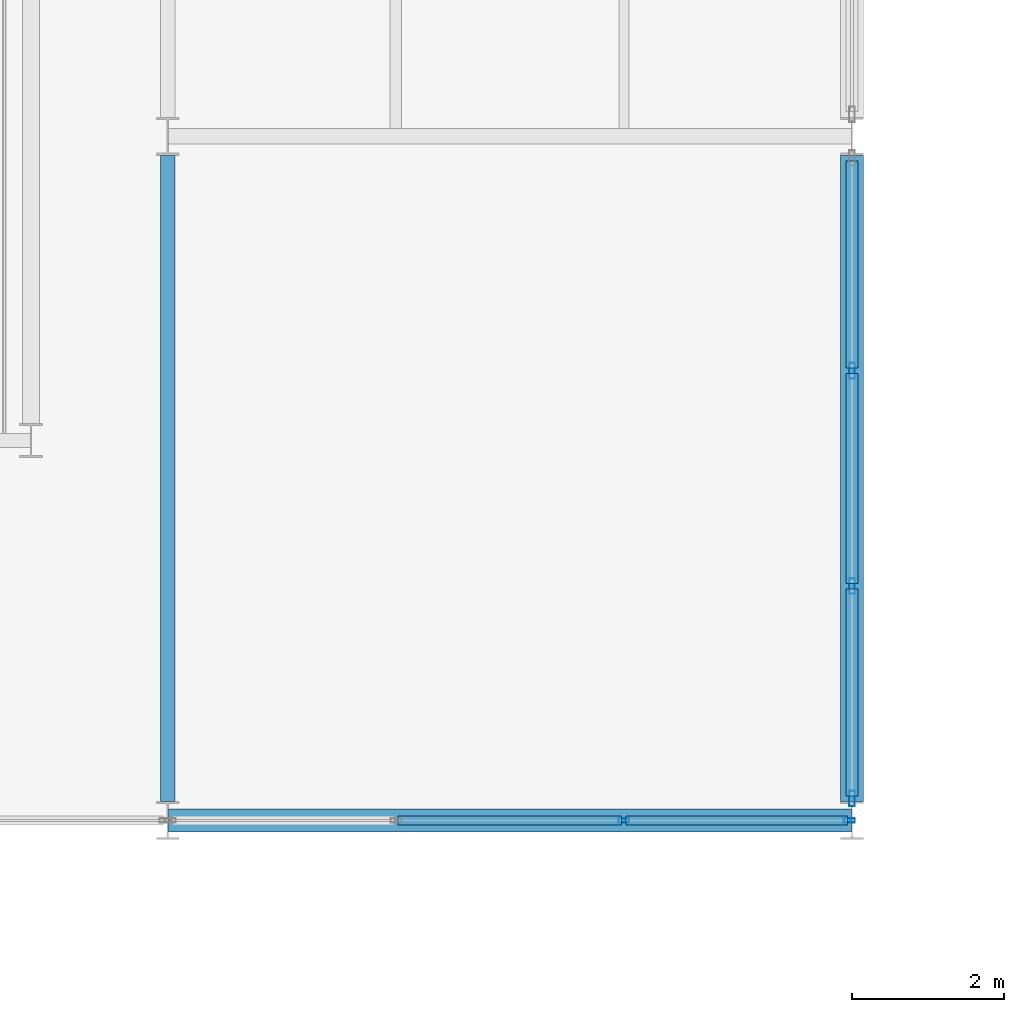
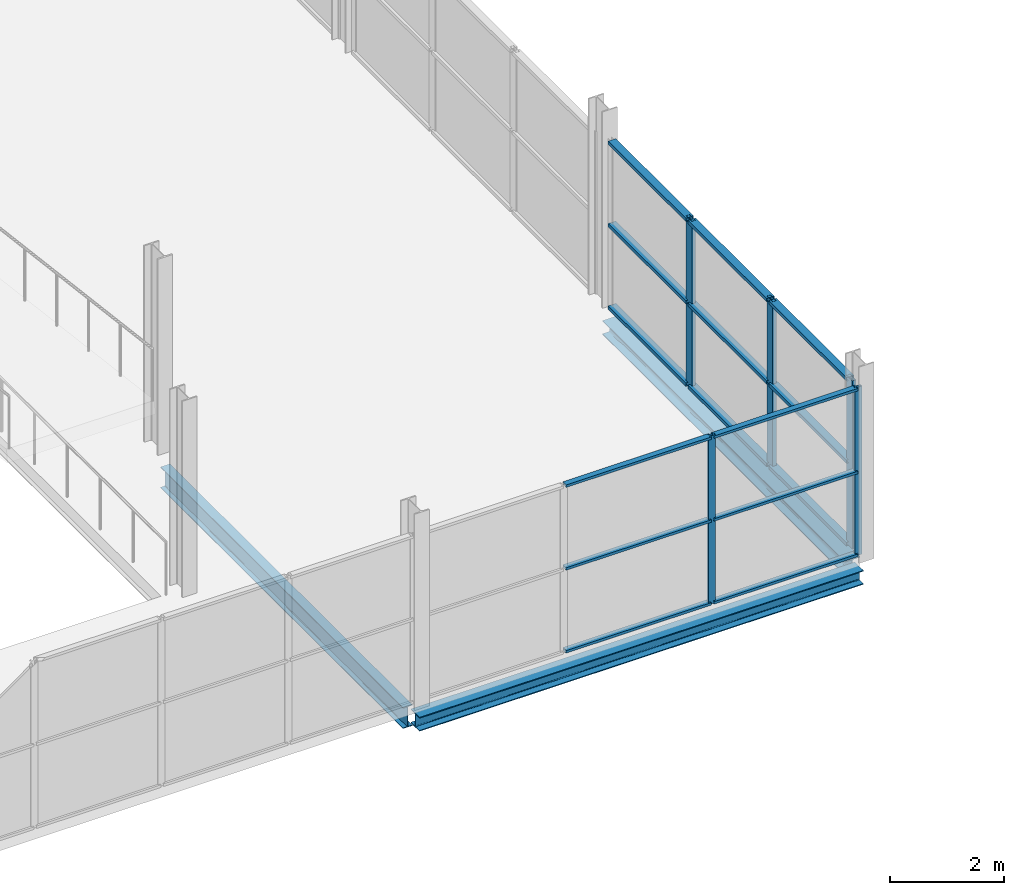
# One storey, part 64 of 140: 20 members, 3 beams, 2 elements without a shape of their own.
"""IFC4 building model written with IfcOpenShell, lengths in metres."""

import ifcopenshell
import ifcopenshell.guid

model = None  # the IFC model being written
_history = None  # IfcOwnerHistory: only IFC2X3 demands one
_inside = {}  # id of a spatial element -> (the spatial element, [elements in it])
_under = {}  # id of a project, library or spatial element -> (it, [spatial elements below it])
_declared = {}  # id of a project -> (the project, [libraries it declares])
_typed = {}  # id of a type object -> (the type object, [elements of that type])
_made_of = {}  # id of a material, layer set ... -> (it, [elements and type objects made of it])


def new_model(schema):
    """Start an empty IFC model of exactly this schema.

    Asked for "IFC4X3", IfcOpenShell would pick the latest addendum, in which some entities
    have other attributes; the version numbers below select the first issue.
    IFC2X3 requires an IfcOwnerHistory on every rooted entity: one is made here for all.
    """
    global model, _history
    if schema == "IFC4X3":
        model = ifcopenshell.file(schema_version=(4, 3, 0, 0))
    else:
        model = ifcopenshell.file(schema=schema)
    _inside.clear()
    _under.clear()
    _declared.clear()
    _typed.clear()
    _made_of.clear()
    _history = None
    if model.schema == "IFC2X3":
        org = make("IfcOrganization", Name="unknown")
        user = make(
            "IfcPersonAndOrganization",
            ThePerson=make("IfcPerson", FamilyName="unknown"),
            TheOrganization=org,
        )
        app = make(
            "IfcApplication",
            ApplicationDeveloper=org,
            Version="unknown",
            ApplicationFullName="unknown",
            ApplicationIdentifier="unknown",
        )
        _history = make(
            "IfcOwnerHistory",
            OwningUser=user,
            OwningApplication=app,
            ChangeAction="ADDED",
            CreationDate=0,
        )
    return model


def make(cls, **values):
    """One entity of the class cls with the attributes given. An attribute that is None is left unset."""
    return model.create_entity(
        cls, **{name: value for name, value in values.items() if value is not None}
    )


def rooted(cls, **values):
    """An entity with a GlobalId (a new one), such as an element, a storey or a relation."""
    return make(cls, GlobalId=ifcopenshell.guid.new(), OwnerHistory=_history, **values)


def si_unit(unit_type, name, prefix=None):
    """IfcSIUnit, for example si_unit("LENGTHUNIT", "METRE", prefix="MILLI")."""
    return make("IfcSIUnit", UnitType=unit_type, Prefix=prefix, Name=name)


def assignment(units):
    """IfcUnitAssignment: the units of a project."""
    return None if units is None else make("IfcUnitAssignment", Units=units)


def point(xyz):
    """IfcCartesianPoint."""
    return None if xyz is None else make("IfcCartesianPoint", Coordinates=xyz)


def direction(xyz):
    """IfcDirection."""
    return None if xyz is None else make("IfcDirection", DirectionRatios=xyz)


def frame(location, z_axis=None, x_axis=None):
    """IfcAxis2Placement3D, a coordinate frame: its origin and axes. An axis left out is left unset."""
    return make(
        "IfcAxis2Placement3D",
        Location=point(location),
        Axis=direction(z_axis),
        RefDirection=direction(x_axis),
    )


def frame_2d(location, x_axis=None):
    """IfcAxis2Placement2D, a coordinate frame in the plane: its origin and x axis."""
    return make(
        "IfcAxis2Placement2D", Location=point(location), RefDirection=direction(x_axis)
    )


def origin():
    """The frame at (0, 0, 0) with its axes left unset."""
    return frame((0.0, 0.0, 0.0))


def origin_2d():
    """The frame at (0, 0) in the plane with its x axis left unset."""
    return frame_2d((0.0, 0.0))


def place(relative_to, where):
    """IfcLocalPlacement: puts the frame where relative to a parent placement (None: the world)."""
    return make(
        "IfcLocalPlacement", PlacementRelTo=relative_to, RelativePlacement=where
    )


def context(
    kind, dimensions, precision=None, world=None, true_north=None, identifier=None
):
    """IfcGeometricRepresentationContext, for example the 3D "Model" context."""
    return make(
        "IfcGeometricRepresentationContext",
        ContextIdentifier=identifier,
        ContextType=kind,
        CoordinateSpaceDimension=dimensions,
        Precision=precision,
        WorldCoordinateSystem=world,
        TrueNorth=true_north,
    )


def subcontext(parent, identifier, kind, view, scale=None):
    """IfcGeometricRepresentationSubContext, for example "Body" below "Model"."""
    return make(
        "IfcGeometricRepresentationSubContext",
        ContextIdentifier=identifier,
        ContextType=kind,
        ParentContext=parent,
        TargetScale=scale,
        TargetView=view,
    )


def project(units=None, contexts=None):
    """IfcProject with its units and contexts."""
    return rooted(
        "IfcProject",
        Name="project",
        RepresentationContexts=contexts,
        UnitsInContext=assignment(units),
    )


def spatial(cls, under=None, at=None, **own):
    """A site, building, storey or space (cls), placed at a placement, below another one or the project."""
    s = rooted(cls, ObjectPlacement=at, **own)
    if under is not None:
        _under.setdefault(under.id(), (under, []))[1].append(s)
    return s


def profile(cls, at=None, kind="AREA", **sizes):
    """A parametric profile (cls). Its sizes go by their IFC names, for example OverallWidth=200.0."""
    return make(cls, ProfileType=kind, Position=at, **sizes)


def hollow_rectangle(**sizes):
    """IfcRectangleHollowProfileDef."""
    return profile("IfcRectangleHollowProfileDef", **sizes)


def i_section(**sizes):
    """IfcIShapeProfileDef."""
    return profile("IfcIShapeProfileDef", **sizes)


def extrude(swept, where, along, depth):
    """IfcExtrudedAreaSolid: the profile swept, set in the frame where, extruded along a direction by depth."""
    return make(
        "IfcExtrudedAreaSolid",
        SweptArea=swept,
        Position=where,
        ExtrudedDirection=direction(along),
        Depth=depth,
    )


def shape(context_of_items, identifier, shape_type, items):
    """IfcShapeRepresentation: the items that make up one representation, for example the "Body"."""
    return make(
        "IfcShapeRepresentation",
        ContextOfItems=context_of_items,
        RepresentationIdentifier=identifier,
        RepresentationType=shape_type,
        Items=items,
    )


def material(Name=None, Category=None):
    """IfcMaterial."""
    return make("IfcMaterial", Name=Name, Category=Category)


def layer(
    of_material, thickness, ventilated=None, Name=None, Category=None, Priority=None
):
    """IfcMaterialLayer: one layer of a wall or slab, of a material (None: an air gap)."""
    return make(
        "IfcMaterialLayer",
        Material=of_material,
        LayerThickness=thickness,
        IsVentilated=ventilated,
        Name=Name,
        Category=Category,
        Priority=Priority,
    )


def layer_set(layers, Name=None):
    """IfcMaterialLayerSet."""
    return make("IfcMaterialLayerSet", MaterialLayers=layers, LayerSetName=Name)


def material_profile(
    of_material, cross_section, Name=None, Category=None, Priority=None
):
    """IfcMaterialProfile: a cross section and its material."""
    return make(
        "IfcMaterialProfile",
        Name=Name,
        Material=of_material,
        Profile=cross_section,
        Priority=Priority,
        Category=Category,
    )


def profile_set(profiles, Name=None, composite=None):
    """IfcMaterialProfileSet."""
    return make(
        "IfcMaterialProfileSet",
        Name=Name,
        MaterialProfiles=profiles,
        CompositeProfile=composite,
    )


def made_of(thing, what):
    """Note that an element or type object is made of a material, layer set ...; save() writes the relation."""
    if what is not None:
        _made_of.setdefault(what.id(), (what, []))[1].append(thing)
    return thing


def type_object(cls, material=None, **own):
    """A type object (cls), such as IfcWallType, which elements share."""
    return made_of(rooted(cls, **own), material)


def element(
    cls,
    number,
    at=None,
    inside=None,
    cuts=None,
    type_object=None,
    material=None,
    context=None,
    identifier="Body",
    shape_type=None,
    held_by="IfcProductDefinitionShape",
    body=None,
    shapes=None,
    **own,
):
    """One element of the class cls, such as IfcWall. Its Tag is "e" and its number.

    at: its placement. inside: the storey or other place that contains it. cuts: it is an
    opening in that element (IfcRelVoidsElement). A single representation is given by context,
    identifier, shape_type and body (its items); several are given by shapes. held_by: the class
    of the entity that holds the representations. save() writes the other relations.
    """
    e = rooted(cls, Tag="e%d" % number, ObjectPlacement=at, **own)
    if body is not None:
        shapes = [shape(context, identifier, shape_type, body)]
    if shapes is not None:
        e.Representation = make(held_by, Representations=shapes)
    if inside is not None:
        _inside.setdefault(inside.id(), (inside, []))[1].append(e)
    if cuts is not None:
        rooted(
            "IfcRelVoidsElement", RelatingBuildingElement=cuts, RelatedOpeningElement=e
        )
    if type_object is not None:
        _typed.setdefault(type_object.id(), (type_object, []))[1].append(e)
    return made_of(e, material)


def aggregate(whole, parts):
    """IfcRelAggregates: a whole, such as a stair, and the parts it consists of."""
    return rooted("IfcRelAggregates", RelatingObject=whole, RelatedObjects=parts)


def save(model, path):
    """Write the relations noted so far, then the file.

    IfcRelAggregates (storeys below a building ...), IfcRelContainedInSpatialStructure (elements
    in a storey), IfcRelDefinesByType, IfcRelAssociatesMaterial and IfcRelDeclares: one each for
    every whole, place, type object, material and project.
    """
    for whole, parts in _under.values():
        aggregate(whole, parts)
    for where, things in _inside.values():
        rooted(
            "IfcRelContainedInSpatialStructure",
            RelatedElements=things,
            RelatingStructure=where,
        )
    for kind, things in _typed.values():
        rooted("IfcRelDefinesByType", RelatedObjects=things, RelatingType=kind)
    for what, things in _made_of.values():
        rooted("IfcRelAssociatesMaterial", RelatedObjects=things, RelatingMaterial=what)
    for by, libraries in _declared.values():
        rooted("IfcRelDeclares", RelatingContext=by, RelatedDefinitions=libraries)
    model.write(path)


model = new_model("IFC4")

# Units and contexts
model_context = context("Model", 3, precision=1e-05, world=origin(), true_north=direction((0.0, 1.0)))
body_context = subcontext(model_context, "Body", "Model", "MODEL_VIEW")
ifc_project = project(units=[si_unit("LENGTHUNIT", "METRE"), si_unit("AREAUNIT", "SQUARE_METRE"), si_unit("VOLUMEUNIT", "CUBIC_METRE"), si_unit("PLANEANGLEUNIT", "RADIAN"), si_unit("MASSUNIT", "GRAM", prefix="KILO")], contexts=[model_context])

# Site, building, storey
site_placement = place(None, origin())
site = spatial("IfcSite", under=ifc_project, at=site_placement, CompositionType="ELEMENT")
building_placement = place(site_placement, origin())
building = spatial("IfcBuilding", under=site, at=building_placement, Name="Deido Ridge Mobility Hub", CompositionType="ELEMENT")
storey_placement = place(building_placement, origin())
storey = spatial("IfcBuildingStorey", under=building, at=storey_placement, Name="L00", CompositionType="ELEMENT", Elevation=0.0)

# Beam
ifc_material_1 = material(Name="Steel S355J2 EN 10025-2", Category="steel")
ifc_material_profile_1 = material_profile(ifc_material_1, i_section(OverallWidth=0.18994140625, OverallDepth=0.449951171875, WebThickness=0.009521484375, FlangeThickness=0.0146484375, FilletRadius=0.02099609375, at=origin_2d()), Name="IPE 450")
ifc_profile_set_1 = profile_set([ifc_material_profile_1], Name="Steel S355J2 EN 10025-2")
beam_type_1 = type_object("IfcBeamType", Name="BM-IPE450", PredefinedType="BEAM", material=ifc_profile_set_1)
beam_1_placement = place(storey_placement, frame((99.0, 45.25, -0.485107421875), z_axis=(0.0, 1.0, 0.0), x_axis=(-1.0, 0.0, 0.0)))
element("IfcBeam", 1, at=beam_1_placement, inside=storey, type_object=beam_type_1, Name="Floor beam B4", PredefinedType="BEAM", context=body_context, shape_type="SweptSolid", body=[
    extrude(i_section(OverallWidth=0.18994140625, OverallDepth=0.449951171875, WebThickness=0.009521484375, FlangeThickness=0.0146484375, FilletRadius=0.02099609375, at=origin_2d()), origin(), (0.0, 0.0, 1.0), 8.5),
])

# Curtain wall, members
ifc_material_2 = material(Name="Anodised aluminium EN AW-6063 T6", Category="aluminium")
ifc_layer_1 = layer(ifc_material_2, 0.14404296875, Name="Anodised aluminium EN AW-6063 T6")
ifc_layer_set_1 = layer_set([ifc_layer_1], Name="Anodised aluminium EN AW-6063 T6")
curtain_wall_type_1 = type_object("IfcCurtainWallType", Name="CW-GS-2", PredefinedType="USERDEFINED", material=ifc_layer_set_1)
curtain_wall_1_placement = place(storey_placement, origin())
curtain_wall_1 = element("IfcCurtainWall", 2, at=curtain_wall_1_placement, inside=storey, type_object=curtain_wall_type_1, Name="Unitised curtain wall GS2", ObjectType="GLAZED SCREEN", PredefinedType="USERDEFINED")
ifc_material_profile_2 = material_profile(ifc_material_2, hollow_rectangle(XDim=0.054931640625, YDim=0.14501953125, WallThickness=0.00390625, at=origin_2d()), Name="RHS 55x145x4")
ifc_profile_set_2 = profile_set([ifc_material_profile_2], Name="Anodised aluminium EN AW-6063 T6")
member_type_1 = type_object("IfcMemberType", Name="MEM-MUL-55X145", PredefinedType="MULLION", material=ifc_profile_set_2)
member_1_placement = place(storey_placement, frame((104.99755859375, 45.0, 0.0), z_axis=(0.0, 0.0, 1.0), x_axis=(0.0, 1.0, 0.0)))
member_1 = element("IfcMember", 3, at=member_1_placement, type_object=member_type_1, Name="GS2 mullion 3", PredefinedType="MULLION", context=body_context, shape_type="SweptSolid", body=[
    extrude(hollow_rectangle(XDim=0.054931640625, YDim=0.14501953125, WallThickness=0.00390625, at=origin_2d()), origin(), (0.0, 0.0, 1.0), 3.60009765625),
])
member_2_placement = place(storey_placement, frame((107.96533203125, 45.0, 0.0), z_axis=(0.0, 0.0, 1.0), x_axis=(0.0, 1.0, 0.0)))
member_2 = element("IfcMember", 4, at=member_2_placement, type_object=member_type_1, Name="GS2 mullion 4", PredefinedType="MULLION", context=body_context, shape_type="SweptSolid", body=[
    extrude(hollow_rectangle(XDim=0.054931640625, YDim=0.14501953125, WallThickness=0.00390625, at=origin_2d()), origin(), (0.0, 0.0, 1.0), 3.60009765625),
])

ifc_layer_2 = layer(ifc_material_2, 0.2099609375, Name="Anodised aluminium EN AW-6063 T6")
ifc_layer_set_2 = layer_set([ifc_layer_2], Name="Anodised aluminium EN AW-6063 T6")
curtain_wall_type_2 = type_object("IfcCurtainWallType", Name="CW-UF-4", PredefinedType="USERDEFINED", material=ifc_layer_set_2)
curtain_wall_2_placement = place(storey_placement, origin())
curtain_wall_2 = element("IfcCurtainWall", 5, at=curtain_wall_2_placement, inside=storey, type_object=curtain_wall_type_2, Name="Unitised curtain wall CW4", ObjectType="UNITISED FACADE", PredefinedType="USERDEFINED")
ifc_material_profile_3 = material_profile(ifc_material_2, hollow_rectangle(XDim=0.074951171875, YDim=0.205078125, WallThickness=0.00390625, at=origin_2d()), Name="RHS 75x205x4")
ifc_profile_set_3 = profile_set([ifc_material_profile_3], Name="Anodised aluminium EN AW-6063 T6")
member_type_2 = type_object("IfcMemberType", Name="MEM-MUL-75X205", PredefinedType="MULLION", material=ifc_profile_set_3)
member_3_placement = place(storey_placement, frame((108.0, 45.28759765625, 0.0), z_axis=(0.0, 0.0, 1.0), x_axis=(-1.0, 0.0, 0.0)))
member_3 = element("IfcMember", 6, at=member_3_placement, type_object=member_type_2, Name="CW4 mullion 1", PredefinedType="MULLION", context=body_context, shape_type="SweptSolid", body=[
    extrude(hollow_rectangle(XDim=0.074951171875, YDim=0.205078125, WallThickness=0.00390625, at=origin_2d()), origin(), (0.0, 0.0, 1.0), 3.60009765625),
])
member_4_placement = place(storey_placement, frame((108.0, 48.083251953125, 0.0), z_axis=(0.0, 0.0, 1.0), x_axis=(-1.0, 0.0, 0.0)))
member_4 = element("IfcMember", 7, at=member_4_placement, type_object=member_type_2, Name="CW4 mullion 2", PredefinedType="MULLION", context=body_context, shape_type="SweptSolid", body=[
    extrude(hollow_rectangle(XDim=0.074951171875, YDim=0.205078125, WallThickness=0.00390625, at=origin_2d()), origin(), (0.0, 0.0, 1.0), 3.60009765625),
])
member_5_placement = place(storey_placement, frame((108.0, 50.916748046875, 0.0), z_axis=(0.0, 0.0, 1.0), x_axis=(-1.0, 0.0, 0.0)))
member_5 = element("IfcMember", 8, at=member_5_placement, type_object=member_type_2, Name="CW4 mullion 3", PredefinedType="MULLION", context=body_context, shape_type="SweptSolid", body=[
    extrude(hollow_rectangle(XDim=0.074951171875, YDim=0.205078125, WallThickness=0.00390625, at=origin_2d()), origin(), (0.0, 0.0, 1.0), 3.60009765625),
])

# Member
ifc_material_profile_4 = material_profile(ifc_material_2, hollow_rectangle(XDim=0.114990234375, YDim=0.054931640625, WallThickness=0.00390625, at=origin_2d()), Name="RHS 115x55x4")
ifc_profile_set_4 = profile_set([ifc_material_profile_4], Name="Anodised aluminium EN AW-6063 T6")
member_type_3 = type_object("IfcMemberType", Name="MEM-TRN-115X55", PredefinedType="USERDEFINED", material=ifc_profile_set_4)
member_6_placement = place(storey_placement, frame((102.02978515625, 45.0, 0.027587890625), z_axis=(1.0, 0.0, 0.0), x_axis=(0.0, 1.0, 0.0)))
member_6 = element("IfcMember", 9, at=member_6_placement, type_object=member_type_3, Name="GS2 transom 2.1", ObjectType="TRANSOM", PredefinedType="USERDEFINED", context=body_context, shape_type="SweptSolid", body=[
    extrude(hollow_rectangle(XDim=0.114990234375, YDim=0.054931640625, WallThickness=0.00390625, at=origin_2d()), origin(), (0.0, 0.0, 1.0), 2.9404296875),
])

member_7_placement = place(storey_placement, frame((102.02978515625, 45.0, 1.800048828125), z_axis=(1.0, 0.0, 0.0), x_axis=(0.0, 1.0, 0.0)))
member_7 = element("IfcMember", 10, at=member_7_placement, type_object=member_type_3, Name="GS2 transom 2.2", ObjectType="TRANSOM", PredefinedType="USERDEFINED", context=body_context, shape_type="SweptSolid", body=[
    extrude(hollow_rectangle(XDim=0.114990234375, YDim=0.054931640625, WallThickness=0.00390625, at=origin_2d()), origin(), (0.0, 0.0, 1.0), 2.9404296875),
])

member_8_placement = place(storey_placement, frame((102.02978515625, 45.0, 3.572509765625), z_axis=(1.0, 0.0, 0.0), x_axis=(0.0, 1.0, 0.0)))
member_8 = element("IfcMember", 11, at=member_8_placement, type_object=member_type_3, Name="GS2 transom 2.3", ObjectType="TRANSOM", PredefinedType="USERDEFINED", context=body_context, shape_type="SweptSolid", body=[
    extrude(hollow_rectangle(XDim=0.114990234375, YDim=0.054931640625, WallThickness=0.00390625, at=origin_2d()), origin(), (0.0, 0.0, 1.0), 2.9404296875),
])

member_9_placement = place(storey_placement, frame((105.025146484375, 45.0, 0.027587890625), z_axis=(1.0, 0.0, 0.0), x_axis=(0.0, 1.0, 0.0)))
member_9 = element("IfcMember", 12, at=member_9_placement, type_object=member_type_3, Name="GS2 transom 3.1", ObjectType="TRANSOM", PredefinedType="USERDEFINED", context=body_context, shape_type="SweptSolid", body=[
    extrude(hollow_rectangle(XDim=0.114990234375, YDim=0.054931640625, WallThickness=0.00390625, at=origin_2d()), origin(), (0.0, 0.0, 1.0), 2.91259765625),
])

member_10_placement = place(storey_placement, frame((105.025146484375, 45.0, 1.800048828125), z_axis=(1.0, 0.0, 0.0), x_axis=(0.0, 1.0, 0.0)))
member_10 = element("IfcMember", 13, at=member_10_placement, type_object=member_type_3, Name="GS2 transom 3.2", ObjectType="TRANSOM", PredefinedType="USERDEFINED", context=body_context, shape_type="SweptSolid", body=[
    extrude(hollow_rectangle(XDim=0.114990234375, YDim=0.054931640625, WallThickness=0.00390625, at=origin_2d()), origin(), (0.0, 0.0, 1.0), 2.91259765625),
])

member_11_placement = place(storey_placement, frame((105.025146484375, 45.0, 3.572509765625), z_axis=(1.0, 0.0, 0.0), x_axis=(0.0, 1.0, 0.0)))
member_11 = element("IfcMember", 14, at=member_11_placement, type_object=member_type_3, Name="GS2 transom 3.3", ObjectType="TRANSOM", PredefinedType="USERDEFINED", context=body_context, shape_type="SweptSolid", body=[
    extrude(hollow_rectangle(XDim=0.114990234375, YDim=0.054931640625, WallThickness=0.00390625, at=origin_2d()), origin(), (0.0, 0.0, 1.0), 2.91259765625),
])

aggregate(curtain_wall_1, [member_1, member_2, member_6, member_7, member_8, member_9, member_10, member_11])

ifc_material_profile_5 = material_profile(ifc_material_2, hollow_rectangle(XDim=0.155029296875, YDim=0.074951171875, WallThickness=0.00390625, at=origin_2d()), Name="RHS 155x75x4")
ifc_profile_set_5 = profile_set([ifc_material_profile_5], Name="Anodised aluminium EN AW-6063 T6")
member_type_4 = type_object("IfcMemberType", Name="MEM-TRN-155X75", PredefinedType="USERDEFINED", material=ifc_profile_set_5)
member_12_placement = place(storey_placement, frame((108.0, 45.324951171875, 0.03759765625), z_axis=(0.0, 1.0, 0.0), x_axis=(-1.0, 0.0, 0.0)))
member_12 = element("IfcMember", 15, at=member_12_placement, type_object=member_type_4, Name="CW4 transom 1.1", ObjectType="TRANSOM", PredefinedType="USERDEFINED", context=body_context, shape_type="SweptSolid", body=[
    extrude(hollow_rectangle(XDim=0.155029296875, YDim=0.074951171875, WallThickness=0.00390625, at=origin_2d()), origin(), (0.0, 0.0, 1.0), 2.720947265625),
])

member_13_placement = place(storey_placement, frame((108.0, 45.324951171875, 1.800048828125), z_axis=(0.0, 1.0, 0.0), x_axis=(-1.0, 0.0, 0.0)))
member_13 = element("IfcMember", 16, at=member_13_placement, type_object=member_type_4, Name="CW4 transom 1.2", ObjectType="TRANSOM", PredefinedType="USERDEFINED", context=body_context, shape_type="SweptSolid", body=[
    extrude(hollow_rectangle(XDim=0.155029296875, YDim=0.074951171875, WallThickness=0.00390625, at=origin_2d()), origin(), (0.0, 0.0, 1.0), 2.720947265625),
])

member_14_placement = place(storey_placement, frame((108.0, 45.324951171875, 3.5625), z_axis=(0.0, 1.0, 0.0), x_axis=(-1.0, 0.0, 0.0)))
member_14 = element("IfcMember", 17, at=member_14_placement, type_object=member_type_4, Name="CW4 transom 1.3", ObjectType="TRANSOM", PredefinedType="USERDEFINED", context=body_context, shape_type="SweptSolid", body=[
    extrude(hollow_rectangle(XDim=0.155029296875, YDim=0.074951171875, WallThickness=0.00390625, at=origin_2d()), origin(), (0.0, 0.0, 1.0), 2.720947265625),
])

member_15_placement = place(storey_placement, frame((108.0, 48.120849609375, 0.03759765625), z_axis=(0.0, 1.0, 0.0), x_axis=(-1.0, 0.0, 0.0)))
member_15 = element("IfcMember", 18, at=member_15_placement, type_object=member_type_4, Name="CW4 transom 2.1", ObjectType="TRANSOM", PredefinedType="USERDEFINED", context=body_context, shape_type="SweptSolid", body=[
    extrude(hollow_rectangle(XDim=0.155029296875, YDim=0.074951171875, WallThickness=0.00390625, at=origin_2d()), origin(), (0.0, 0.0, 1.0), 2.75830078125),
])

member_16_placement = place(storey_placement, frame((108.0, 48.120849609375, 1.800048828125), z_axis=(0.0, 1.0, 0.0), x_axis=(-1.0, 0.0, 0.0)))
member_16 = element("IfcMember", 19, at=member_16_placement, type_object=member_type_4, Name="CW4 transom 2.2", ObjectType="TRANSOM", PredefinedType="USERDEFINED", context=body_context, shape_type="SweptSolid", body=[
    extrude(hollow_rectangle(XDim=0.155029296875, YDim=0.074951171875, WallThickness=0.00390625, at=origin_2d()), origin(), (0.0, 0.0, 1.0), 2.75830078125),
])

member_17_placement = place(storey_placement, frame((108.0, 48.120849609375, 3.5625), z_axis=(0.0, 1.0, 0.0), x_axis=(-1.0, 0.0, 0.0)))
member_17 = element("IfcMember", 20, at=member_17_placement, type_object=member_type_4, Name="CW4 transom 2.3", ObjectType="TRANSOM", PredefinedType="USERDEFINED", context=body_context, shape_type="SweptSolid", body=[
    extrude(hollow_rectangle(XDim=0.155029296875, YDim=0.074951171875, WallThickness=0.00390625, at=origin_2d()), origin(), (0.0, 0.0, 1.0), 2.75830078125),
])

member_18_placement = place(storey_placement, frame((108.0, 50.9541015625, 0.03759765625), z_axis=(0.0, 1.0, 0.0), x_axis=(-1.0, 0.0, 0.0)))
member_18 = element("IfcMember", 21, at=member_18_placement, type_object=member_type_4, Name="CW4 transom 3.1", ObjectType="TRANSOM", PredefinedType="USERDEFINED", context=body_context, shape_type="SweptSolid", body=[
    extrude(hollow_rectangle(XDim=0.155029296875, YDim=0.074951171875, WallThickness=0.00390625, at=origin_2d()), origin(), (0.0, 0.0, 1.0), 2.720947265625),
])

member_19_placement = place(storey_placement, frame((108.0, 50.9541015625, 1.800048828125), z_axis=(0.0, 1.0, 0.0), x_axis=(-1.0, 0.0, 0.0)))
member_19 = element("IfcMember", 22, at=member_19_placement, type_object=member_type_4, Name="CW4 transom 3.2", ObjectType="TRANSOM", PredefinedType="USERDEFINED", context=body_context, shape_type="SweptSolid", body=[
    extrude(hollow_rectangle(XDim=0.155029296875, YDim=0.074951171875, WallThickness=0.00390625, at=origin_2d()), origin(), (0.0, 0.0, 1.0), 2.720947265625),
])

member_20_placement = place(storey_placement, frame((108.0, 50.9541015625, 3.5625), z_axis=(0.0, 1.0, 0.0), x_axis=(-1.0, 0.0, 0.0)))
member_20 = element("IfcMember", 23, at=member_20_placement, type_object=member_type_4, Name="CW4 transom 3.3", ObjectType="TRANSOM", PredefinedType="USERDEFINED", context=body_context, shape_type="SweptSolid", body=[
    extrude(hollow_rectangle(XDim=0.155029296875, YDim=0.074951171875, WallThickness=0.00390625, at=origin_2d()), origin(), (0.0, 0.0, 1.0), 2.720947265625),
])

aggregate(curtain_wall_2, [member_3, member_4, member_5, member_12, member_13, member_14, member_15, member_16, member_17, member_18, member_19, member_20])

# Beams
ifc_material_profile_6 = material_profile(ifc_material_1, i_section(OverallWidth=0.300048828125, OverallDepth=0.300048828125, WebThickness=0.010986328125, FlangeThickness=0.01904296875, FilletRadius=0.027099609375, at=origin_2d()), Name="HEB 300")
ifc_profile_set_6 = profile_set([ifc_material_profile_6], Name="Steel S355J2 EN 10025-2")
beam_type_2 = type_object("IfcBeamType", Name="SPD-HEB300", PredefinedType="SPANDREL", material=ifc_profile_set_6)
beam_2_placement = place(storey_placement, frame((99.007080078125, 45.0, -0.409912109375), z_axis=(1.0, 0.0, 0.0), x_axis=(0.0, 1.0, 0.0)))
element("IfcBeam", 24, at=beam_2_placement, inside=storey, type_object=beam_type_2, Name="Floor beam SP1", PredefinedType="SPANDREL", context=body_context, shape_type="SweptSolid", body=[
    extrude(i_section(OverallWidth=0.300048828125, OverallDepth=0.300048828125, WebThickness=0.010986328125, FlangeThickness=0.01904296875, FilletRadius=0.027099609375, at=origin_2d()), origin(), (0.0, 0.0, 1.0), 8.98583984375),
])
beam_3_placement = place(storey_placement, frame((108.0, 45.25, -0.409912109375), z_axis=(0.0, 1.0, 0.0), x_axis=(-1.0, 0.0, 0.0)))
element("IfcBeam", 25, at=beam_3_placement, inside=storey, type_object=beam_type_2, Name="Floor beam SP1", PredefinedType="SPANDREL", context=body_context, shape_type="SweptSolid", body=[
    extrude(i_section(OverallWidth=0.300048828125, OverallDepth=0.300048828125, WebThickness=0.010986328125, FlangeThickness=0.01904296875, FilletRadius=0.027099609375, at=origin_2d()), origin(), (0.0, 0.0, 1.0), 8.5),
])

save(model, "model.ifc")
